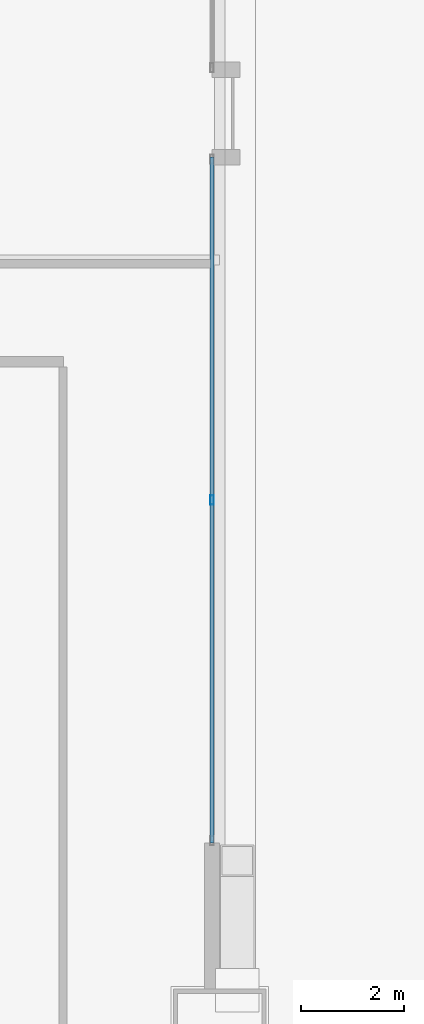
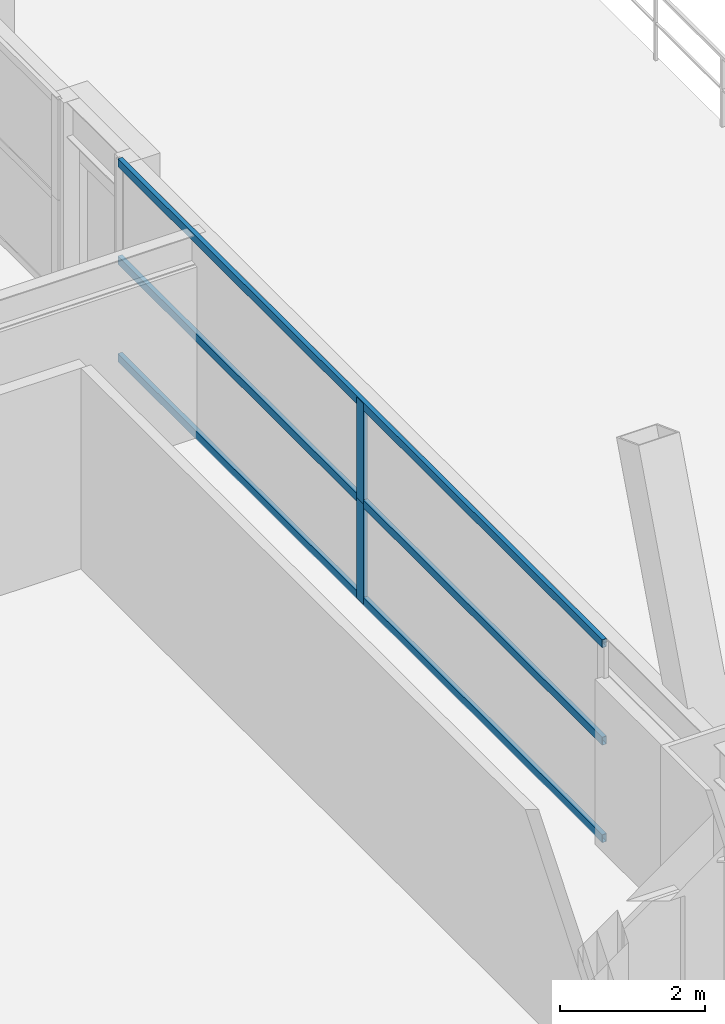
# One storey, part 17 of 45: 5 members, 1 element without a shape of its own.
"""IFC4 building model written with IfcOpenShell, lengths in metres."""

from ifc_helpers import new_model, si_unit, direction, frame, origin, origin_2d, place, context, subcontext, project, spatial, hollow_rectangle, extrude, source, transform, mapped, material, layer, layer_set, material_profile, profile_set, type_object, element, aggregate, save


model = new_model("IFC4")

# Units and contexts
model_context = context("Model", 3, precision=1e-05, world=origin(), true_north=direction((0.0, 1.0)))
body_context = subcontext(model_context, "Body", "Model", "MODEL_VIEW")
ifc_project = project(units=[si_unit("LENGTHUNIT", "METRE"), si_unit("AREAUNIT", "SQUARE_METRE"), si_unit("VOLUMEUNIT", "CUBIC_METRE"), si_unit("PLANEANGLEUNIT", "RADIAN"), si_unit("MASSUNIT", "GRAM", prefix="KILO"), si_unit("THERMODYNAMICTEMPERATUREUNIT", "KELVIN"), si_unit("POWERUNIT", "WATT")], contexts=[model_context])

# Site, building, storey
site_placement = place(None, origin())
site = spatial("IfcSite", under=ifc_project, at=site_placement, CompositionType="ELEMENT")
building_placement = place(site_placement, origin())
building = spatial("IfcBuilding", under=site, at=building_placement, Name="Yuzanri Waterfront Tower", CompositionType="ELEMENT")
storey_placement = place(building_placement, frame((0.0, 0.0, 30.60009765625)))
storey = spatial("IfcBuildingStorey", under=building, at=storey_placement, Name="L07", CompositionType="ELEMENT", Elevation=30.60009765625)

# Curtain wall, members
ifc_material_1 = material(Name="Anodized Architectural Bronze", Category="metal")
ifc_layer = layer(ifc_material_1, 0.159912109375)
ifc_layer_set = layer_set([ifc_layer], Name="Anodized Architectural Bronze")
curtain_wall_type = type_object("IfcCurtainWallType", Name="Anodized Bronze Hotel Lower-Tier Recessed Unitized Curtain Wall 8100", PredefinedType="NOTDEFINED", material=ifc_layer_set)
curtain_wall_placement = place(storey_placement, origin())
curtain_wall = element("IfcCurtainWall", 1, at=curtain_wall_placement, inside=storey, type_object=curtain_wall_type, Name="L07 Curtain Wall CW-L07-EL1", PredefinedType="NOTDEFINED")
ifc_material_2 = material(Name="Anodized Architectural Bronze", Category="metal")
ifc_material_profile_1 = material_profile(ifc_material_2, hollow_rectangle(XDim=0.070068359375, YDim=0.179931640625, WallThickness=0.00390625, at=origin_2d()), Name="CWM 70x180")
ifc_profile_set_1 = profile_set([ifc_material_profile_1], Name="Anodized Architectural Bronze")
member_type_1 = type_object("IfcMemberType", Name="Anodized Bronze Standard Curtain-Wall Mullion 70x180", PredefinedType="MULLION", material=ifc_profile_set_1)
shared_shape_1 = source(origin(), body_context, "Body", "SweptSolid", [
    extrude(hollow_rectangle(XDim=0.070068359375, YDim=0.179931640625, WallThickness=0.00390625, at=origin_2d()), origin(), (0.0, 0.0, 1.0), 1.68798828125),
])
member_1_placement = place(storey_placement, frame((61.949951171875, 14.7275390625, 0.0), z_axis=(0.0, 0.0, 1.0), x_axis=(1.0, 0.0, 0.0)))
member_1 = element("IfcMember", 2, at=member_1_placement, type_object=member_type_1, Name="CW-L07-EL1 Lower Mullion 01", PredefinedType="MULLION", context=body_context, shape_type="MappedRepresentation", body=[
    mapped(shared_shape_1, transform((0.0, 0.0, 0.0), scale=1.0)),
])
member_2_placement = place(storey_placement, frame((61.949951171875, 14.7275390625, 1.69189453125), z_axis=(0.0, 0.0, 1.0), x_axis=(1.0, 0.0, 0.0)))
member_2 = element("IfcMember", 3, at=member_2_placement, type_object=member_type_1, Name="CW-L07-EL1 Upper Mullion 01", PredefinedType="MULLION", context=body_context, shape_type="MappedRepresentation", body=[
    mapped(shared_shape_1, transform((0.0, 0.0, 0.0), scale=1.0)),
])
ifc_material_3 = material(Name="Anodized Architectural Bronze", Category="metal")
ifc_material_profile_2 = material_profile(ifc_material_3, hollow_rectangle(XDim=0.070068359375, YDim=0.135009765625, WallThickness=0.00341796875, at=origin_2d()), Name="CWT 70x135")
ifc_profile_set_2 = profile_set([ifc_material_profile_2], Name="Anodized Architectural Bronze")
member_type_2 = type_object("IfcMemberType", Name="Anodized Bronze Standard Curtain-Wall Transom 70x135", PredefinedType="USERDEFINED", material=ifc_profile_set_2)
shared_shape_2 = source(origin(), body_context, "Body", "SweptSolid", [
    extrude(hollow_rectangle(XDim=0.070068359375, YDim=0.135009765625, WallThickness=0.00341796875, at=origin_2d()), origin(), (0.0, 0.0, 1.0), 13.35498046875),
])
member_3_placement = place(storey_placement, frame((61.949951171875, 8.050048828125, 0.0498046875), z_axis=(0.0, 1.0, 0.0), x_axis=(-1.0, 0.0, 0.0)))
member_3 = element("IfcMember", 4, at=member_3_placement, type_object=member_type_2, Name="CW-L07-EL1 Transom 1", ObjectType="TRANSOM", PredefinedType="USERDEFINED", context=body_context, shape_type="MappedRepresentation", body=[
    mapped(shared_shape_2, transform((0.0, 0.0, 0.0), scale=1.0)),
])
member_4_placement = place(storey_placement, frame((61.949951171875, 8.050048828125, 1.68994140625), z_axis=(0.0, 1.0, 0.0), x_axis=(-1.0, 0.0, 0.0)))
member_4 = element("IfcMember", 5, at=member_4_placement, type_object=member_type_2, Name="CW-L07-EL1 Transom 2", ObjectType="TRANSOM", PredefinedType="USERDEFINED", context=body_context, shape_type="MappedRepresentation", body=[
    mapped(shared_shape_2, transform((0.0, 0.0, 0.0), scale=1.0)),
])
member_5_placement = place(storey_placement, frame((61.949951171875, 8.050048828125, 3.329833984375), z_axis=(0.0, 1.0, 0.0), x_axis=(-1.0, 0.0, 0.0)))
member_5 = element("IfcMember", 6, at=member_5_placement, type_object=member_type_2, Name="CW-L07-EL1 Transom 3", ObjectType="TRANSOM", PredefinedType="USERDEFINED", context=body_context, shape_type="MappedRepresentation", body=[
    mapped(shared_shape_2, transform((0.0, 0.0, 0.0), scale=1.0)),
])
aggregate(curtain_wall, [member_1, member_2, member_3, member_4, member_5])

save(model, "model.ifc")
